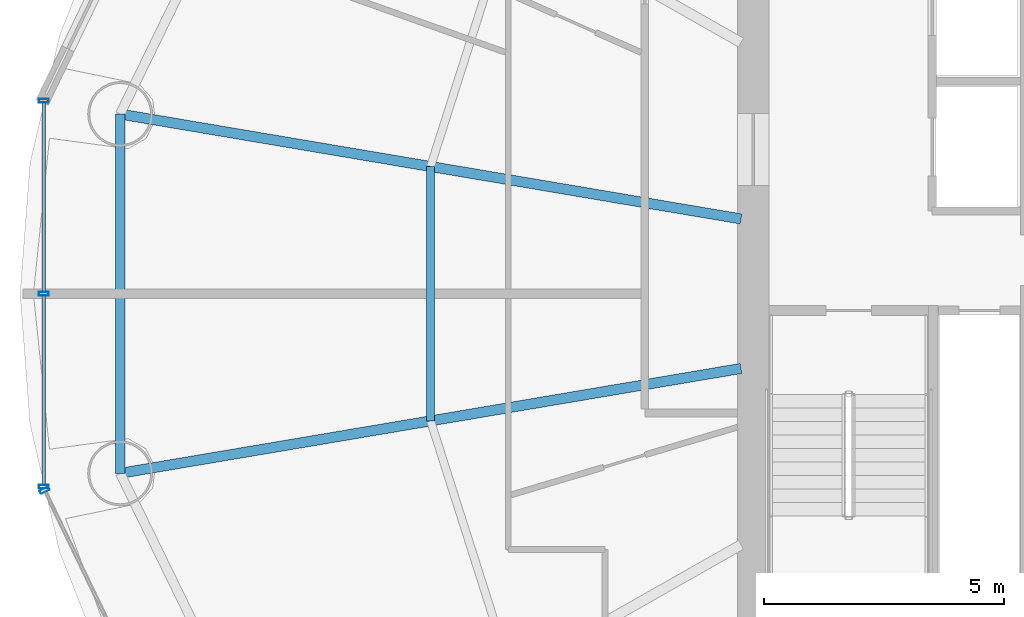
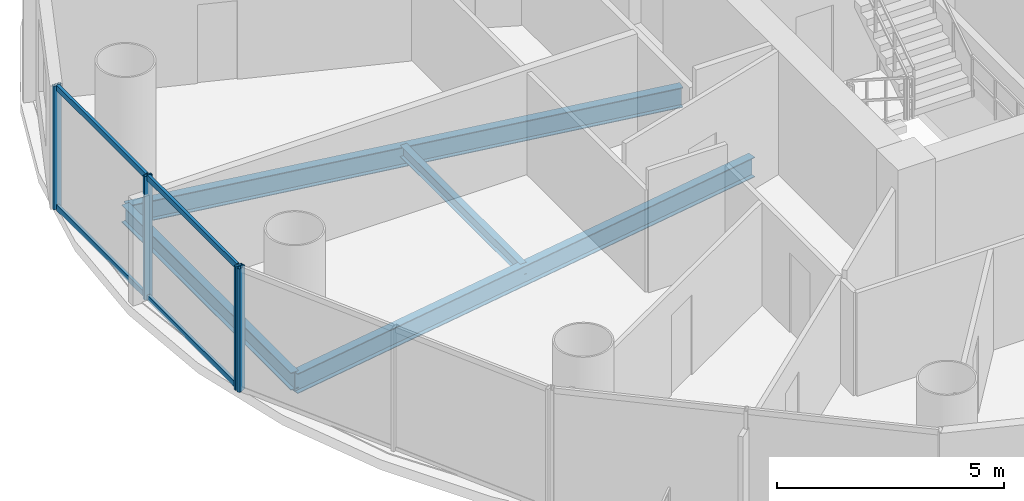
# One storey, part 7 of 27: 8 members, 4 beams, 2 elements without a shape of their own.
"""IFC4 building model written with IfcOpenShell, lengths in metres."""

from ifc_helpers import new_model, si_unit, direction, frame, origin, origin_2d, place, context, subcontext, project, spatial, hollow_rectangle, i_section, extrude, source, transform, mapped, material, material_profile, profile_set, type_object, element, aggregate, save


model = new_model("IFC4")

# Units and contexts
model_context = context("Model", 3, precision=1e-05, world=origin(), true_north=direction((-0.2419218956, 0.970295726276)))
body_context = subcontext(model_context, "Body", "Model", "MODEL_VIEW")
ifc_project = project(units=[si_unit("LENGTHUNIT", "METRE"), si_unit("AREAUNIT", "SQUARE_METRE"), si_unit("VOLUMEUNIT", "CUBIC_METRE"), si_unit("PLANEANGLEUNIT", "RADIAN"), si_unit("MASSUNIT", "GRAM", prefix="KILO")], contexts=[model_context])

# Site, building, storey
site_placement = place(None, origin())
site = spatial("IfcSite", under=ifc_project, at=site_placement, CompositionType="ELEMENT")
building_placement = place(site_placement, origin())
building = spatial("IfcBuilding", under=site, at=building_placement, Name="Cobrevalo Terracotta Tower", CompositionType="ELEMENT")
storey_placement = place(building_placement, frame((0.0, 0.0, 164.199951171875)))
storey = spatial("IfcBuildingStorey", under=building, at=storey_placement, Name="L43", CompositionType="ELEMENT", Elevation=164.199951171875)

# Beams
ifc_material_1 = material(Name="Steel S355", Category="steel")
ifc_material_profile_1 = material_profile(ifc_material_1, i_section(OverallWidth=0.2109375, OverallDepth=0.5390625, WebThickness=0.01171875, FlangeThickness=0.018798828125, at=origin_2d()), Name="W 530x109")
ifc_profile_set_1 = profile_set([ifc_material_profile_1], Name="Steel S355")
beam_type_1 = type_object("IfcBeamType", Name="Structural Beam W 530x109 (Steel S355)", PredefinedType="BEAM", material=ifc_profile_set_1)
for number, where, z_axis, x_axis, name in (
    (1, (15.88330078125, 30.535888671875, -0.53955078125), (0.986032794282, -0.166551279191, 0.0), (0.166551279191, 0.986032794282, 0.0), "L43 radial floor girder 08"),
    (2, (15.88330078125, 23.06396484375, -0.53955078125), (0.986029732232, 0.166569406417, 0.0), (-0.166569406417, 0.986029732232, 0.0), "L43 radial floor girder 09"),
):
    element("IfcBeam", number, at=place(storey_placement, frame(where, z_axis=z_axis, x_axis=x_axis)), inside=storey, type_object=beam_type_1, Name=name, PredefinedType="BEAM", context=body_context, shape_type="SweptSolid", body=[
        extrude(i_section(OverallWidth=0.2109375, OverallDepth=0.5390625, WebThickness=0.01171875, FlangeThickness=0.018798828125, at=origin_2d()), origin(), (0.0, 0.0, 1.0), 13.094482421875),
    ])
ifc_material_profile_2 = material_profile(ifc_material_1, i_section(OverallWidth=0.1650390625, OverallDepth=0.31005859375, WebThickness=0.005859375, FlangeThickness=0.009765625, at=origin_2d()), Name="W 310x38.7")
ifc_profile_set_2 = profile_set([ifc_material_profile_2], Name="Steel S355")
beam_type_2 = type_object("IfcBeamType", Name="Structural Joist W 310x38.7 (Steel S355)", PredefinedType="JOIST", material=ifc_profile_set_2)
beam_1_placement = place(storey_placement, frame((22.339111328125, 29.445556640625, -0.425048828125), z_axis=(0.0, -1.0, 0.0), x_axis=(1.0, 0.0, 0.0)))
element("IfcBeam", 3, at=beam_1_placement, inside=storey, type_object=beam_type_2, Name="L43 circumferential secondary floor joist 08", PredefinedType="JOIST", context=body_context, shape_type="SweptSolid", body=[
    extrude(i_section(OverallWidth=0.1650390625, OverallDepth=0.31005859375, WebThickness=0.005859375, FlangeThickness=0.009765625, at=origin_2d()), origin(), (0.0, 0.0, 1.0), 5.291015625),
])
ifc_material_profile_3 = material_profile(ifc_material_1, i_section(OverallWidth=0.194091796875, OverallDepth=0.468994140625, WebThickness=0.011474609375, FlangeThickness=0.0205078125, at=origin_2d()), Name="W 460x106")
ifc_profile_set_3 = profile_set([ifc_material_profile_3], Name="Steel S355")
beam_type_3 = type_object("IfcBeamType", Name="Structural Spandrel W 460x106 (Steel S355)", PredefinedType="SPANDREL", material=ifc_profile_set_3)
beam_2_placement = place(storey_placement, frame((15.88330078125, 30.535888671875, -0.50439453125), z_axis=(0.0, -1.0, 0.0), x_axis=(1.0, 0.0, 0.0)))
element("IfcBeam", 4, at=beam_2_placement, inside=storey, type_object=beam_type_3, Name="L43 perimeter ring spandrel 08", PredefinedType="SPANDREL", context=body_context, shape_type="SweptSolid", body=[
    extrude(i_section(OverallWidth=0.194091796875, OverallDepth=0.468994140625, WebThickness=0.011474609375, FlangeThickness=0.0205078125, at=origin_2d()), origin(), (0.0, 0.0, 1.0), 7.471923828125),
])

# Curtain wall, members
ifc_material_2 = material(Name="Anodized aluminium", Category="aluminium")
curtain_wall_type = type_object("IfcCurtainWallType", Name="Mid-tower high-wind unitised curtain wall CW-U2", PredefinedType="NOTDEFINED", material=ifc_material_2)
curtain_wall_1_placement = place(storey_placement, origin())
curtain_wall_1 = element("IfcCurtainWall", 5, at=curtain_wall_1_placement, inside=storey, type_object=curtain_wall_type, Name="L43 curtain wall CW-L43-S08", PredefinedType="NOTDEFINED")
ifc_material_profile_4 = material_profile(ifc_material_2, hollow_rectangle(XDim=0.074951171875, YDim=0.199951171875, WallThickness=0.0048828125, at=origin_2d()), Name="CWM 75x200")
ifc_profile_set_4 = profile_set([ifc_material_profile_4], Name="Anodized aluminium")
member_type_1 = type_object("IfcMemberType", Name="Lower/mid tower unitised mullion 75x200", PredefinedType="MULLION", material=ifc_profile_set_4)
shared_shape_1 = source(origin(), body_context, "Body", "SweptSolid", [
    extrude(hollow_rectangle(XDim=0.074951171875, YDim=0.199951171875, WallThickness=0.0048828125, at=origin_2d()), origin(), (0.0, 0.0, 1.0), 3.330078125),
])
member_1_placement = place(storey_placement, frame((14.29443359375, 30.81201171875, 0.0), z_axis=(0.0, 0.0, 1.0), x_axis=(0.0, -1.0, 0.0)))
member_1 = element("IfcMember", 6, at=member_1_placement, type_object=member_type_1, Name="CW-L43-S08 vertical mullion 01", PredefinedType="MULLION", context=body_context, shape_type="MappedRepresentation", body=[
    mapped(shared_shape_1, transform((0.0, 0.0, 0.0), scale=1.0)),
])
member_2_placement = place(storey_placement, frame((14.29443359375, 26.800048828125, 0.0), z_axis=(0.0, 0.0, 1.0), x_axis=(0.0, -1.0, 0.0)))
member_2 = element("IfcMember", 7, at=member_2_placement, type_object=member_type_1, Name="CW-L43-S08 vertical mullion 02", PredefinedType="MULLION", context=body_context, shape_type="MappedRepresentation", body=[
    mapped(shared_shape_1, transform((0.0, 0.0, 0.0), scale=1.0)),
])
member_3_placement = place(storey_placement, frame((14.29443359375, 22.7880859375, 0.0), z_axis=(0.0, 0.0, 1.0), x_axis=(0.0, -1.0, 0.0)))
member_3 = element("IfcMember", 8, at=member_3_placement, type_object=member_type_1, Name="CW-L43-S08 vertical mullion 03", PredefinedType="MULLION", context=body_context, shape_type="MappedRepresentation", body=[
    mapped(shared_shape_1, transform((0.0, 0.0, 0.0), scale=1.0)),
])

# Curtain wall, member
curtain_wall_2_placement = place(storey_placement, origin())
curtain_wall_2 = element("IfcCurtainWall", 9, at=curtain_wall_2_placement, inside=storey, type_object=curtain_wall_type, Name="L43 curtain wall CW-L43-S09", PredefinedType="NOTDEFINED")
member_4_placement = place(storey_placement, frame((14.311767578125, 22.7119140625, 0.0), z_axis=(0.0, 0.0, 1.0), x_axis=(0.434209440271, -0.900811945957, 0.0)))
member_4 = element("IfcMember", 10, at=member_4_placement, type_object=member_type_1, Name="CW-L43-S09 vertical mullion 01", PredefinedType="MULLION", context=body_context, shape_type="MappedRepresentation", body=[
    mapped(shared_shape_1, transform((0.0, 0.0, 0.0), scale=1.0)),
])
aggregate(curtain_wall_2, [member_4])

# Member
ifc_material_profile_5 = material_profile(ifc_material_2, hollow_rectangle(XDim=0.074951171875, YDim=0.14990234375, WallThickness=0.00439453125, at=origin_2d()), Name="CWT 75x150")
ifc_profile_set_5 = profile_set([ifc_material_profile_5], Name="Anodized aluminium")
member_type_2 = type_object("IfcMemberType", Name="Tower unitised aluminium transom 75x150", PredefinedType="USERDEFINED", material=ifc_profile_set_5)
shared_shape_2 = source(origin(), body_context, "Body", "SweptSolid", [
    extrude(hollow_rectangle(XDim=0.074951171875, YDim=0.14990234375, WallThickness=0.00439453125, at=origin_2d()), origin(), (0.0, 0.0, 1.0), 3.931884765625),
])
member_5_placement = place(storey_placement, frame((14.29443359375, 30.77197265625, 0.050048828125), z_axis=(0.0, -1.0, 0.0), x_axis=(1.0, 0.0, 0.0)))
member_5 = element("IfcMember", 11, at=member_5_placement, type_object=member_type_2, Name="CW-L43-S08 transom B01-T1", ObjectType="TRANSOM", PredefinedType="USERDEFINED", context=body_context, shape_type="MappedRepresentation", body=[
    mapped(shared_shape_2, transform((0.0, 0.0, 0.0), scale=1.0)),
])

member_6_placement = place(storey_placement, frame((14.29443359375, 30.77197265625, 3.280029296875), z_axis=(0.0, -1.0, 0.0), x_axis=(1.0, 0.0, 0.0)))
member_6 = element("IfcMember", 12, at=member_6_placement, type_object=member_type_2, Name="CW-L43-S08 transom B01-T2", ObjectType="TRANSOM", PredefinedType="USERDEFINED", context=body_context, shape_type="MappedRepresentation", body=[
    mapped(shared_shape_2, transform((0.0, 0.0, 0.0), scale=1.0)),
])

shared_shape_3 = source(origin(), body_context, "Body", "SweptSolid", [
    extrude(hollow_rectangle(XDim=0.074951171875, YDim=0.14990234375, WallThickness=0.00439453125, at=origin_2d()), origin(), (0.0, 0.0, 1.0), 3.93212890625),
])
member_7_placement = place(storey_placement, frame((14.29443359375, 26.760009765625, 0.050048828125), z_axis=(0.0, -1.0, 0.0), x_axis=(1.0, 0.0, 0.0)))
member_7 = element("IfcMember", 13, at=member_7_placement, type_object=member_type_2, Name="CW-L43-S08 transom B02-T1", ObjectType="TRANSOM", PredefinedType="USERDEFINED", context=body_context, shape_type="MappedRepresentation", body=[
    mapped(shared_shape_3, transform((0.0, 0.0, 0.0), scale=1.0)),
])

member_8_placement = place(storey_placement, frame((14.29443359375, 26.760009765625, 3.280029296875), z_axis=(0.0, -1.0, 0.0), x_axis=(1.0, 0.0, 0.0)))
member_8 = element("IfcMember", 14, at=member_8_placement, type_object=member_type_2, Name="CW-L43-S08 transom B02-T2", ObjectType="TRANSOM", PredefinedType="USERDEFINED", context=body_context, shape_type="MappedRepresentation", body=[
    mapped(shared_shape_3, transform((0.0, 0.0, 0.0), scale=1.0)),
])

aggregate(curtain_wall_1, [member_1, member_2, member_3, member_5, member_6, member_7, member_8])

save(model, "model.ifc")
